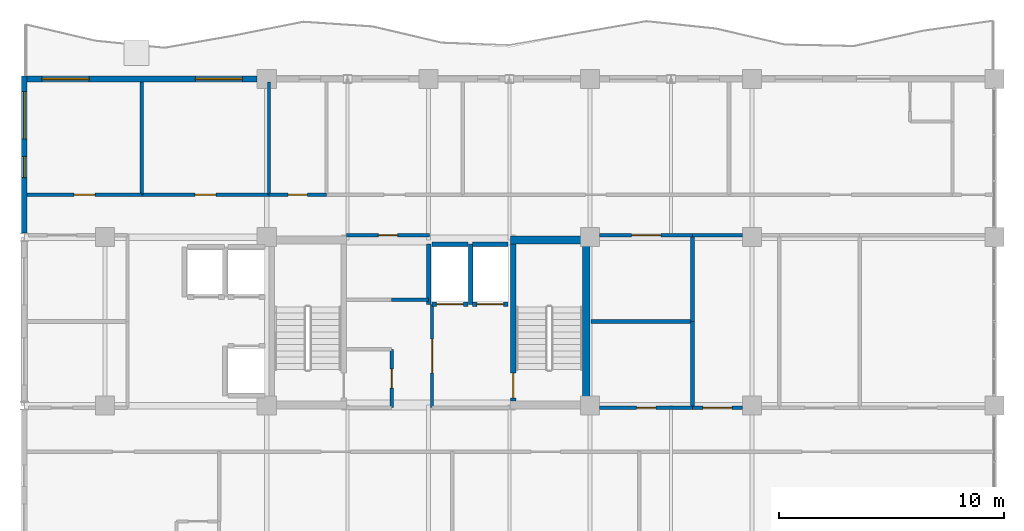
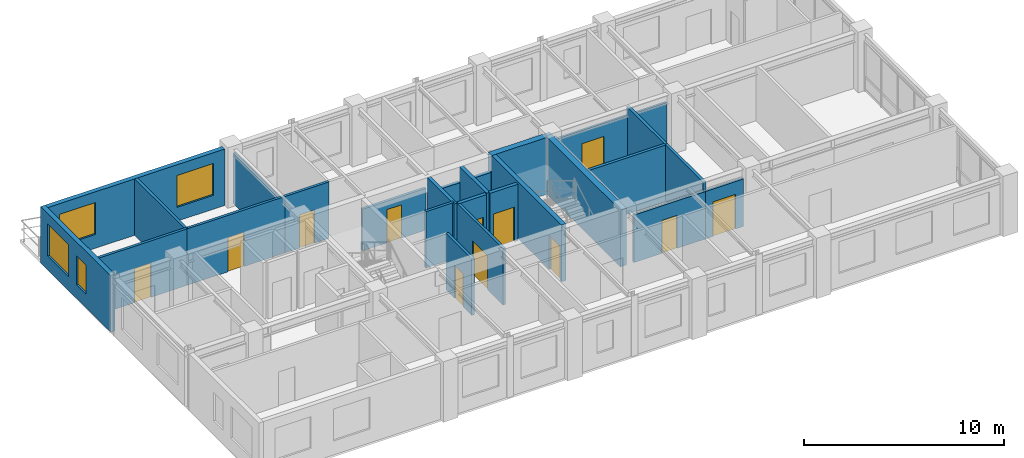
# One storey, part 7 of 11: 27 walls, 12 doors, 4 windows, 16 openings.
"""IFC4 building model written with IfcOpenShell, lengths in metres."""

from ifc_helpers import new_model, si_unit, direction, frame, frame_2d, origin, place, context, subcontext, project, spatial, rectangle, extrude, material, layer, layer_set, type_object, element, fill, save


model = new_model("IFC4")

# Units and contexts
model_context = context("Model", 3, precision=1e-05, world=origin(), true_north=direction((0.0, 1.0)))
body_context = subcontext(model_context, "Body", "Model", "MODEL_VIEW")
ifc_project = project(units=[si_unit("LENGTHUNIT", "METRE"), si_unit("AREAUNIT", "SQUARE_METRE"), si_unit("VOLUMEUNIT", "CUBIC_METRE"), si_unit("PLANEANGLEUNIT", "RADIAN"), si_unit("MASSUNIT", "GRAM", prefix="KILO")], contexts=[model_context])

# Site, building, storey
site_placement = place(None, origin())
site = spatial("IfcSite", under=ifc_project, at=site_placement, CompositionType="ELEMENT")
building_placement = place(site_placement, origin())
building = spatial("IfcBuilding", under=site, at=building_placement, Name="Kaliganga Portal Commons", CompositionType="ELEMENT")
storey_placement = place(building_placement, frame((0.0, 0.0, 253.60009765625)))
storey = spatial("IfcBuildingStorey", under=building, at=storey_placement, Name="L65", CompositionType="ELEMENT", Elevation=253.60009765625)

# Walls
ifc_material_1 = material(Name="Concrete C50/60", Category="concrete")
ifc_layer_1 = layer(ifc_material_1, 0.35009765625)
ifc_layer_set_1 = layer_set([ifc_layer_1], Name="Concrete C50/60")
wall_type_1 = type_object("IfcWallType", Name="WL-CORE-350", PredefinedType="SHEAR", material=ifc_layer_set_1)
wall_1_placement = place(storey_placement, frame((28.625, 28.5, 0.0), z_axis=(0.0, 0.0, 1.0), x_axis=(0.0, 1.0, 0.0)))
element("IfcWall", 1, at=wall_1_placement, inside=storey, type_object=wall_type_1, Name="Core A East Shear Wall L65", PredefinedType="SHEAR", context=body_context, shape_type="SweptSolid", body=[
    extrude(rectangle(XDim=7.699951171875, YDim=0.35009765625, at=frame_2d((3.85009765625, 0.0))), origin(), (0.0, 0.0, 1.0), 3.474853515625),
])
wall_2_placement = place(storey_placement, frame((25.25, 36.02490234375, 0.0), z_axis=(0.0, 0.0, 1.0), x_axis=(1.0, 0.0, 0.0)))
element("IfcWall", 2, at=wall_2_placement, inside=storey, type_object=wall_type_1, Name="Core A N-East Shear Wall L65", PredefinedType="SHEAR", context=body_context, shape_type="SweptSolid", body=[
    extrude(rectangle(XDim=3.199951171875, YDim=0.35009765625, at=frame_2d((1.60009765625, 0.0))), origin(), (0.0, 0.0, 1.0), 3.474853515625),
])

# Wall, openings, windows
ifc_material_2 = material(Name="Insulated Aluminium-Clad Spandrel Assembly", Category="aluminium")
ifc_layer_2 = layer(ifc_material_2, 0.260009765625)
ifc_layer_set_2 = layer_set([ifc_layer_2], Name="Insulated Aluminium-Clad Spandrel Assembly")
wall_type_2 = type_object("IfcWallType", Name="WL-EXT-SPAND-260", PredefinedType="STANDARD", material=ifc_layer_set_2)
wall_3_placement = place(storey_placement, frame((3.735107421875, 43.199951171875, 0.0), z_axis=(0.0, 0.0, 1.0), x_axis=(1.0, 0.0, 0.0)))
wall_3 = element("IfcWall", 3, at=wall_3_placement, inside=storey, type_object=wall_type_2, Name="Exterior Envelope Wall L65 P1-E02-S8", PredefinedType="STANDARD", context=body_context, shape_type="SweptSolid", body=[
    extrude(rectangle(XDim=10.239013671875, YDim=0.260009765625, at=frame_2d((5.11962890625, 0.0))), origin(), (0.0, 0.0, 1.0), 3.454833984375),
])
opening_1_placement = place(wall_3_placement, frame((0.656494140625, 0.0, 0.85009765625)))
opening_1 = element("IfcOpeningElement", 4, at=opening_1_placement, cuts=wall_3, Name="Opening W-06", PredefinedType="OPENING", context=body_context, shape_type="SweptSolid", body=[
    extrude(rectangle(XDim=2.10009765625, YDim=1.949951171875, at=frame_2d((1.050048828125, 0.97509765625))), frame((0.0, 0.14013671875, 0.0), z_axis=(0.0, -1.0, 0.0), x_axis=(1.0, 0.0, 0.0)), (0.0, 0.0, 1.0), 0.280029296875),
])
opening_2_placement = place(wall_3_placement, frame((7.482421875, 0.0, 0.85009765625)))
opening_2 = element("IfcOpeningElement", 5, at=opening_2_placement, cuts=wall_3, Name="Opening W-06", PredefinedType="OPENING", context=body_context, shape_type="SweptSolid", body=[
    extrude(rectangle(XDim=2.10009765625, YDim=1.949951171875, at=frame_2d((1.050048828125, 0.97509765625))), frame((0.0, 0.14013671875, 0.0), z_axis=(0.0, -1.0, 0.0), x_axis=(1.0, 0.0, 0.0)), (0.0, 0.0, 1.0), 0.280029296875),
])
ifc_material_3 = material(Name="Thermally Broken Aluminium and Low-E Double Glazing", Category="aluminium")
window_type_1 = type_object("IfcWindowType", Name="WIN-PAN-2100", PartitioningType="DOUBLE_PANEL_VERTICAL", PredefinedType="WINDOW", material=ifc_material_3)
window_1_placement = place(opening_1_placement, origin())
window_1 = element("IfcWindow", 6, at=window_1_placement, inside=storey, type_object=window_type_1, Name="Facade Window L65-P1E02S8-00", OverallHeight=1.949951171875, OverallWidth=2.10009765625, PartitioningType="SINGLE_PANEL", PredefinedType="WINDOW", context=body_context, shape_type="SweptSolid", body=[
    extrude(rectangle(XDim=2.10009765625, YDim=1.949951171875, at=frame_2d((1.050048828125, 0.97509765625))), frame((0.0, 0.030029296875, 0.0), z_axis=(0.0, -1.0, 0.0), x_axis=(1.0, 0.0, 0.0)), (0.0, 0.0, 1.0), 0.06005859375),
])
fill(opening_1, window_1)
window_2_placement = place(opening_2_placement, origin())
window_2 = element("IfcWindow", 7, at=window_2_placement, inside=storey, type_object=window_type_1, Name="Facade Window L65-P1E02S8-02", OverallHeight=1.949951171875, OverallWidth=2.10009765625, PartitioningType="SINGLE_PANEL", PredefinedType="WINDOW", context=body_context, shape_type="SweptSolid", body=[
    extrude(rectangle(XDim=2.10009765625, YDim=1.949951171875, at=frame_2d((1.050048828125, 0.97509765625))), frame((0.0, 0.030029296875, 0.0), z_axis=(0.0, -1.0, 0.0), x_axis=(1.0, 0.0, 0.0)), (0.0, 0.0, 1.0), 0.06005859375),
])
fill(opening_2, window_2)

wall_4_placement = place(storey_placement, frame((3.60009765625, 36.3369140625, 0.0), z_axis=(0.0, 0.0, 1.0), x_axis=(0.0, 1.0, 0.0)))
wall_4 = element("IfcWall", 8, at=wall_4_placement, inside=storey, type_object=wall_type_2, Name="Exterior Envelope Wall L65 P1-E03-S1", PredefinedType="STANDARD", context=body_context, shape_type="SweptSolid", body=[
    extrude(rectangle(XDim=6.9931640625, YDim=0.260009765625, at=frame_2d((3.49658203125, 0.0))), origin(), (0.0, 0.0, 1.0), 3.454833984375),
])
opening_3_placement = place(wall_4_placement, frame((4.194580078125, 0.0, 0.85009765625)))
opening_3 = element("IfcOpeningElement", 9, at=opening_3_placement, cuts=wall_4, Name="Opening W-06", PredefinedType="OPENING", context=body_context, shape_type="SweptSolid", body=[
    extrude(rectangle(XDim=2.10009765625, YDim=1.949951171875, at=frame_2d((1.050048828125, 0.97509765625))), frame((0.0, 0.14013671875, 0.0), z_axis=(0.0, -1.0, 0.0), x_axis=(1.0, 0.0, 0.0)), (0.0, 0.0, 1.0), 0.280029296875),
])
opening_4_placement = place(wall_4_placement, frame((2.462158203125, 0.0, 0.85009765625)))
opening_4 = element("IfcOpeningElement", 10, at=opening_4_placement, cuts=wall_4, Name="Opening W-04", PredefinedType="OPENING", context=body_context, shape_type="SweptSolid", body=[
    extrude(rectangle(XDim=0.949951171875, YDim=1.75, at=frame_2d((0.47509765625, 0.875))), frame((0.0, 0.14013671875, 0.0), z_axis=(0.0, -1.0, 0.0), x_axis=(1.0, 0.0, 0.0)), (0.0, 0.0, 1.0), 0.280029296875),
])
window_type_2 = type_object("IfcWindowType", Name="WIN-NARROW-950", PartitioningType="SINGLE_PANEL", PredefinedType="WINDOW", material=ifc_material_3)
window_3_placement = place(opening_4_placement, origin())
window_3 = element("IfcWindow", 11, at=window_3_placement, inside=storey, type_object=window_type_2, Name="Facade Window L65-P1E03S1-N5", OverallHeight=1.75, OverallWidth=0.949951171875, PartitioningType="SINGLE_PANEL", PredefinedType="WINDOW", context=body_context, shape_type="SweptSolid", body=[
    extrude(rectangle(XDim=0.949951171875, YDim=1.75, at=frame_2d((0.47509765625, 0.875))), frame((0.0, 0.030029296875, 0.0), z_axis=(0.0, -1.0, 0.0), x_axis=(1.0, 0.0, 0.0)), (0.0, 0.0, 1.0), 0.06005859375),
])
fill(opening_4, window_3)
window_4_placement = place(opening_3_placement, origin())
window_4 = element("IfcWindow", 12, at=window_4_placement, inside=storey, type_object=window_type_1, Name="Facade Window L65-P1E03S1-01", OverallHeight=1.949951171875, OverallWidth=2.10009765625, PartitioningType="SINGLE_PANEL", PredefinedType="WINDOW", context=body_context, shape_type="SweptSolid", body=[
    extrude(rectangle(XDim=2.10009765625, YDim=1.949951171875, at=frame_2d((1.050048828125, 0.97509765625))), frame((0.0, 0.030029296875, 0.0), z_axis=(0.0, -1.0, 0.0), x_axis=(1.0, 0.0, 0.0)), (0.0, 0.0, 1.0), 0.06005859375),
])
fill(opening_3, window_4)

# Wall, opening, door
ifc_material_4 = material(Name="Fire-Rated Gypsum Board on Steel Stud", Category="steel")
ifc_layer_3 = layer(ifc_material_4, 0.14990234375)
ifc_layer_set_3 = layer_set([ifc_layer_3], Name="Fire-Rated Gypsum Board on Steel Stud")
wall_type_3 = type_object("IfcWallType", Name="WL-PART-CORR-150", PredefinedType="PARTITIONING", material=ifc_layer_set_3)
wall_5_placement = place(storey_placement, frame((8.840087890625, 38.0400390625, 0.0), z_axis=(0.0, 0.0, 1.0), x_axis=(1.0, 0.0, 0.0)))
wall_5 = element("IfcWall", 13, at=wall_5_placement, inside=storey, type_object=wall_type_3, Name="Interior Partition L65-016", PredefinedType="PARTITIONING", context=body_context, shape_type="SweptSolid", body=[
    extrude(rectangle(XDim=5.659912109375, YDim=0.14990234375, at=frame_2d((2.830078125, 0.0))), origin(), (0.0, 0.0, 1.0), 3.454833984375),
])
opening_5_placement = place(wall_5_placement, frame((2.35498046875, 0.0, 0.0)))
opening_5 = element("IfcOpeningElement", 14, at=opening_5_placement, cuts=wall_5, Name="Opening UD-01", PredefinedType="OPENING", context=body_context, shape_type="SweptSolid", body=[
    extrude(rectangle(XDim=0.949951171875, YDim=2.10009765625, at=frame_2d((0.47509765625, 1.050048828125))), frame((0.0, 0.0849609375, 0.0), z_axis=(0.0, -1.0, 0.0), x_axis=(1.0, 0.0, 0.0)), (0.0, 0.0, 1.0), 0.169921875),
])
ifc_material_5 = material(Name="Solid-Core Timber Acoustic Fire Door", Category="wood")
door_type_1 = type_object("IfcDoorType", Name="DR-UNIT-950", OperationType="NOTDEFINED", PredefinedType="DOOR", material=ifc_material_5)
door_1_placement = place(opening_5_placement, origin())
door_1 = element("IfcDoor", 15, at=door_1_placement, inside=storey, type_object=door_type_1, Name="Interior Door L65-AN02", OperationType="SINGLE_SWING_RIGHT", OverallHeight=2.10009765625, OverallWidth=0.949951171875, PredefinedType="DOOR", context=body_context, shape_type="SweptSolid", body=[
    extrude(rectangle(XDim=0.949951171875, YDim=2.10009765625, at=frame_2d((0.47509765625, 1.050048828125))), frame((0.0, 0.02490234375, 0.0), z_axis=(0.0, -1.0, 0.0), x_axis=(1.0, 0.0, 0.0)), (0.0, 0.0, 1.0), 0.050048828125),
])
fill(opening_5, door_1)

wall_6_placement = place(storey_placement, frame((3.73193359375, 38.0400390625, 0.0), z_axis=(0.0, 0.0, 1.0), x_axis=(1.0, 0.0, 0.0)))
wall_6 = element("IfcWall", 16, at=wall_6_placement, inside=storey, type_object=wall_type_3, Name="Interior Partition L65-017", PredefinedType="PARTITIONING", context=body_context, shape_type="SweptSolid", body=[
    extrude(rectangle(XDim=5.108154296875, YDim=0.14990234375, at=frame_2d((2.55419921875, 0.0))), origin(), (0.0, 0.0, 1.0), 3.454833984375),
])
opening_6_placement = place(wall_6_placement, frame((2.0791015625, 0.0, 0.0)))
opening_6 = element("IfcOpeningElement", 17, at=opening_6_placement, cuts=wall_6, Name="Opening UD-01", PredefinedType="OPENING", context=body_context, shape_type="SweptSolid", body=[
    extrude(rectangle(XDim=0.949951171875, YDim=2.10009765625, at=frame_2d((0.47509765625, 1.050048828125))), frame((0.0, 0.0849609375, 0.0), z_axis=(0.0, -1.0, 0.0), x_axis=(1.0, 0.0, 0.0)), (0.0, 0.0, 1.0), 0.169921875),
])
door_2_placement = place(opening_6_placement, origin())
door_2 = element("IfcDoor", 18, at=door_2_placement, inside=storey, type_object=door_type_1, Name="Interior Door L65-AN01", OperationType="SINGLE_SWING_LEFT", OverallHeight=2.10009765625, OverallWidth=0.949951171875, PredefinedType="DOOR", context=body_context, shape_type="SweptSolid", body=[
    extrude(rectangle(XDim=0.949951171875, YDim=2.10009765625, at=frame_2d((0.47509765625, 1.050048828125))), frame((0.0, 0.02490234375, 0.0), z_axis=(0.0, -1.0, 0.0), x_axis=(1.0, 0.0, 0.0)), (0.0, 0.0, 1.0), 0.050048828125),
])
fill(opening_6, door_2)

wall_7_placement = place(storey_placement, frame((29.22509765625, 28.56005859375, 0.0), z_axis=(0.0, 0.0, 1.0), x_axis=(1.0, 0.0, 0.0)))
wall_7 = element("IfcWall", 19, at=wall_7_placement, inside=storey, type_object=wall_type_3, Name="Interior Partition L65-022", PredefinedType="PARTITIONING", context=body_context, shape_type="SweptSolid", body=[
    extrude(rectangle(XDim=4.135009765625, YDim=0.14990234375, at=frame_2d((2.0673828125, 0.0))), origin(), (0.0, 0.0, 1.0), 2.90478515625),
])
opening_7_placement = place(wall_7_placement, frame((1.637451171875, 0.0, 0.0)))
opening_7 = element("IfcOpeningElement", 20, at=opening_7_placement, cuts=wall_7, Name="Opening WD-02", PredefinedType="OPENING", context=body_context, shape_type="SweptSolid", body=[
    extrude(rectangle(XDim=0.860107421875, YDim=2.02001953125, at=frame_2d((0.43017578125, 1.010009765625))), frame((0.0, 0.0849609375, 0.0), z_axis=(0.0, -1.0, 0.0), x_axis=(1.0, 0.0, 0.0)), (0.0, 0.0, 1.0), 0.169921875),
])
ifc_material_6 = material(Name="Fire-Rated Utility Closet Door", Category="wood")
door_type_2 = type_object("IfcDoorType", Name="DR-STORE-800", OperationType="NOTDEFINED", PredefinedType="DOOR", material=ifc_material_6)
door_3_placement = place(opening_7_placement, origin())
door_3 = element("IfcDoor", 21, at=door_3_placement, inside=storey, type_object=door_type_2, Name="Interior Door L65-CSRV_A1", OperationType="SINGLE_SWING_RIGHT", OverallHeight=2.02001953125, OverallWidth=0.860107421875, PredefinedType="DOOR", context=body_context, shape_type="SweptSolid", body=[
    extrude(rectangle(XDim=0.860107421875, YDim=2.02001953125, at=frame_2d((0.43017578125, 1.010009765625))), frame((0.0, 0.02490234375, 0.0), z_axis=(0.0, -1.0, 0.0), x_axis=(1.0, 0.0, 0.0)), (0.0, 0.0, 1.0), 0.050048828125),
])
fill(opening_7, door_3)

wall_8_placement = place(storey_placement, frame((29.22509765625, 36.239990234375, 0.0), z_axis=(0.0, 0.0, 1.0), x_axis=(1.0, 0.0, 0.0)))
wall_8 = element("IfcWall", 22, at=wall_8_placement, inside=storey, type_object=wall_type_3, Name="Interior Partition L65-023", PredefinedType="PARTITIONING", context=body_context, shape_type="SweptSolid", body=[
    extrude(rectangle(XDim=4.135009765625, YDim=0.14990234375, at=frame_2d((2.0673828125, 0.0))), origin(), (0.0, 0.0, 1.0), 2.90478515625),
])
opening_8_placement = place(wall_8_placement, frame((1.41748046875, 0.0, 0.0)))
opening_8 = element("IfcOpeningElement", 23, at=opening_8_placement, cuts=wall_8, Name="Opening RD-03", PredefinedType="OPENING", context=body_context, shape_type="SweptSolid", body=[
    extrude(rectangle(XDim=1.300048828125, YDim=2.1201171875, at=frame_2d((0.64990234375, 1.06005859375))), frame((0.0, 0.0849609375, 0.0), z_axis=(0.0, -1.0, 0.0), x_axis=(1.0, 0.0, 0.0)), (0.0, 0.0, 1.0), 0.169921875),
])
ifc_material_7 = material(Name="Glazed Timber Seminar Vision Door", Category="wood")
door_type_3 = type_object("IfcDoorType", Name="DR-STUDY-1300", OperationType="DOUBLE_DOOR_SINGLE_SWING", PredefinedType="DOOR", material=ifc_material_7)
door_4_placement = place(opening_8_placement, origin())
door_4 = element("IfcDoor", 24, at=door_4_placement, inside=storey, type_object=door_type_3, Name="Interior Door L65-CSRV_A2", OperationType="DOUBLE_DOOR_SINGLE_SWING", OverallHeight=2.1201171875, OverallWidth=1.300048828125, PredefinedType="DOOR", context=body_context, shape_type="SweptSolid", body=[
    extrude(rectangle(XDim=1.300048828125, YDim=2.1201171875, at=frame_2d((0.64990234375, 1.06005859375))), frame((0.0, 0.02490234375, 0.0), z_axis=(0.0, -1.0, 0.0), x_axis=(1.0, 0.0, 0.0)), (0.0, 0.0, 1.0), 0.050048828125),
])
fill(opening_8, door_4)

wall_9_placement = place(storey_placement, frame((33.360107421875, 28.56005859375, 0.0), z_axis=(0.0, 0.0, 1.0), x_axis=(1.0, 0.0, 0.0)))
wall_9 = element("IfcWall", 25, at=wall_9_placement, inside=storey, type_object=wall_type_3, Name="Interior Partition L65-024", PredefinedType="PARTITIONING", context=body_context, shape_type="SweptSolid", body=[
    extrude(rectangle(XDim=2.21484375, YDim=0.14990234375, at=frame_2d((1.107421875, 0.0))), origin(), (0.0, 0.0, 1.0), 2.90478515625),
])
opening_9_placement = place(wall_9_placement, frame((0.45751953125, 0.0, 0.0)))
opening_9 = element("IfcOpeningElement", 26, at=opening_9_placement, cuts=wall_9, Name="Opening RD-03", PredefinedType="OPENING", context=body_context, shape_type="SweptSolid", body=[
    extrude(rectangle(XDim=1.300048828125, YDim=2.1201171875, at=frame_2d((0.64990234375, 1.06005859375))), frame((0.0, 0.0849609375, 0.0), z_axis=(0.0, -1.0, 0.0), x_axis=(1.0, 0.0, 0.0)), (0.0, 0.0, 1.0), 0.169921875),
])
door_5_placement = place(opening_9_placement, origin())
door_5 = element("IfcDoor", 27, at=door_5_placement, inside=storey, type_object=door_type_3, Name="Interior Door L65-AE01", OperationType="DOUBLE_DOOR_SINGLE_SWING", OverallHeight=2.1201171875, OverallWidth=1.300048828125, PredefinedType="DOOR", context=body_context, shape_type="SweptSolid", body=[
    extrude(rectangle(XDim=1.300048828125, YDim=2.1201171875, at=frame_2d((0.64990234375, 1.06005859375))), frame((0.0, 0.02490234375, 0.0), z_axis=(0.0, -1.0, 0.0), x_axis=(1.0, 0.0, 0.0)), (0.0, 0.0, 1.0), 0.050048828125),
])
fill(opening_9, door_5)

# Wall
wall_10_placement = place(storey_placement, frame((33.360107421875, 36.239990234375, 0.0), z_axis=(0.0, 0.0, 1.0), x_axis=(1.0, 0.0, 0.0)))
element("IfcWall", 28, at=wall_10_placement, inside=storey, type_object=wall_type_3, Name="Interior Partition L65-026", PredefinedType="PARTITIONING", context=body_context, shape_type="SweptSolid", body=[
    extrude(rectangle(XDim=2.21484375, YDim=0.14990234375, at=frame_2d((1.107421875, 0.0))), origin(), (0.0, 0.0, 1.0), 2.90478515625),
])

# Wall, opening, door
wall_11_placement = place(storey_placement, frame((17.9599609375, 36.239990234375, 0.0), z_axis=(0.0, 0.0, 1.0), x_axis=(1.0, 0.0, 0.0)))
wall_11 = element("IfcWall", 29, at=wall_11_placement, inside=storey, type_object=wall_type_3, Name="Interior Partition L65-030", PredefinedType="PARTITIONING", context=body_context, shape_type="SweptSolid", body=[
    extrude(rectangle(XDim=3.679931640625, YDim=0.14990234375, at=frame_2d((1.83984375, 0.0))), origin(), (0.0, 0.0, 1.0), 2.554931640625),
])
opening_10_placement = place(wall_11_placement, frame((1.4150390625, 0.0, 0.0)))
opening_10 = element("IfcOpeningElement", 30, at=opening_10_placement, cuts=wall_11, Name="Opening WD-01", PredefinedType="OPENING", context=body_context, shape_type="SweptSolid", body=[
    extrude(rectangle(XDim=0.85009765625, YDim=2.0400390625, at=frame_2d((0.425048828125, 1.02001953125))), frame((0.0, 0.0849609375, 0.0), z_axis=(0.0, -1.0, 0.0), x_axis=(1.0, 0.0, 0.0)), (0.0, 0.0, 1.0), 0.169921875),
])
ifc_material_8 = material(Name="Moisture-Resistant Laminate Timber Door", Category="wood")
door_type_4 = type_object("IfcDoorType", Name="DR-WET-850", OperationType="NOTDEFINED", PredefinedType="DOOR", material=ifc_material_8)
door_6_placement = place(opening_10_placement, origin())
door_6 = element("IfcDoor", 31, at=door_6_placement, inside=storey, type_object=door_type_4, Name="Interior Door L65-CREC_A1", OperationType="SINGLE_SWING_LEFT", OverallHeight=2.0400390625, OverallWidth=0.85009765625, PredefinedType="DOOR", context=body_context, shape_type="SweptSolid", body=[
    extrude(rectangle(XDim=0.85009765625, YDim=2.0400390625, at=frame_2d((0.425048828125, 1.02001953125))), frame((0.0, 0.02490234375, 0.0), z_axis=(0.0, -1.0, 0.0), x_axis=(1.0, 0.0, 0.0)), (0.0, 0.0, 1.0), 0.050048828125),
])
fill(opening_10, door_6)

wall_12_placement = place(storey_placement, frame((19.9599609375, 28.56005859375, 0.0), z_axis=(0.0, 0.0, 1.0), x_axis=(0.0, 1.0, 0.0)))
wall_12 = element("IfcWall", 32, at=wall_12_placement, inside=storey, type_object=wall_type_3, Name="Interior Partition L65-033", PredefinedType="PARTITIONING", context=body_context, shape_type="SweptSolid", body=[
    extrude(rectangle(XDim=2.599853515625, YDim=0.14990234375, at=frame_2d((1.2998046875, 0.0))), origin(), (0.0, 0.0, 1.0), 3.454833984375),
])
opening_11_placement = place(wall_12_placement, frame((0.8701171875, 0.0, 0.0)))
opening_11 = element("IfcOpeningElement", 33, at=opening_11_placement, cuts=wall_12, Name="Opening WD-02", PredefinedType="OPENING", context=body_context, shape_type="SweptSolid", body=[
    extrude(rectangle(XDim=0.860107421875, YDim=2.02001953125, at=frame_2d((0.43017578125, 1.010009765625))), frame((0.0, 0.0849609375, 0.0), z_axis=(0.0, -1.0, 0.0), x_axis=(1.0, 0.0, 0.0)), (0.0, 0.0, 1.0), 0.169921875),
])
door_7_placement = place(opening_11_placement, origin())
door_7 = element("IfcDoor", 34, at=door_7_placement, inside=storey, type_object=door_type_2, Name="Interior Door L65-CIN_A1", OperationType="SINGLE_SWING_LEFT", OverallHeight=2.02001953125, OverallWidth=0.860107421875, PredefinedType="DOOR", context=body_context, shape_type="SweptSolid", body=[
    extrude(rectangle(XDim=0.860107421875, YDim=2.02001953125, at=frame_2d((0.43017578125, 1.010009765625))), frame((0.0, 0.02490234375, 0.0), z_axis=(0.0, -1.0, 0.0), x_axis=(1.0, 0.0, 0.0)), (0.0, 0.0, 1.0), 0.050048828125),
])
fill(opening_11, door_7)

wall_13_placement = place(storey_placement, frame((14.5, 38.0400390625, 0.0), z_axis=(0.0, 0.0, 1.0), x_axis=(1.0, 0.0, 0.0)))
wall_13 = element("IfcWall", 35, at=wall_13_placement, inside=storey, type_object=wall_type_3, Name="Interior Partition L65-034", PredefinedType="PARTITIONING", context=body_context, shape_type="SweptSolid", body=[
    extrude(rectangle(XDim=2.56005859375, YDim=0.14990234375, at=frame_2d((1.280029296875, 0.0))), origin(), (0.0, 0.0, 1.0), 3.454833984375),
])
opening_12_placement = place(wall_13_placement, frame((0.85498046875, 0.0, 0.0)))
opening_12 = element("IfcOpeningElement", 36, at=opening_12_placement, cuts=wall_13, Name="Opening WD-01", PredefinedType="OPENING", context=body_context, shape_type="SweptSolid", body=[
    extrude(rectangle(XDim=0.85009765625, YDim=2.0400390625, at=frame_2d((0.425048828125, 1.02001953125))), frame((0.0, 0.0849609375, 0.0), z_axis=(0.0, -1.0, 0.0), x_axis=(1.0, 0.0, 0.0)), (0.0, 0.0, 1.0), 0.169921875),
])
door_8_placement = place(opening_12_placement, origin())
door_8 = element("IfcDoor", 37, at=door_8_placement, inside=storey, type_object=door_type_4, Name="Interior Door L65-AN03", OperationType="SINGLE_SWING_RIGHT", OverallHeight=2.0400390625, OverallWidth=0.85009765625, PredefinedType="DOOR", context=body_context, shape_type="SweptSolid", body=[
    extrude(rectangle(XDim=0.85009765625, YDim=2.0400390625, at=frame_2d((0.425048828125, 1.02001953125))), frame((0.0, 0.02490234375, 0.0), z_axis=(0.0, -1.0, 0.0), x_axis=(1.0, 0.0, 0.0)), (0.0, 0.0, 1.0), 0.050048828125),
])
fill(opening_12, door_8)

# Wall
wall_14_placement = place(storey_placement, frame((19.9599609375, 33.360107421875, 0.0), z_axis=(0.0, 0.0, 1.0), x_axis=(1.0, 0.0, 0.0)))
element("IfcWall", 38, at=wall_14_placement, inside=storey, type_object=wall_type_3, Name="Interior Partition L65-039", PredefinedType="PARTITIONING", context=body_context, shape_type="SweptSolid", body=[
    extrude(rectangle(XDim=1.650146484375, YDim=0.14990234375, at=frame_2d((0.8251953125, 0.0))), origin(), (0.0, 0.0, 1.0), 3.454833984375),
])

# Wall, opening, door
wall_15_placement = place(storey_placement, frame((21.760009765625, 28.56005859375, 0.0), z_axis=(0.0, 0.0, 1.0), x_axis=(0.0, 1.0, 0.0)))
wall_15 = element("IfcWall", 39, at=wall_15_placement, inside=storey, type_object=wall_type_3, Name="Interior Partition L65-050", PredefinedType="PARTITIONING", context=body_context, shape_type="SweptSolid", body=[
    extrude(rectangle(XDim=4.599853515625, YDim=0.14990234375, at=frame_2d((2.2998046875, 0.0))), origin(), (0.0, 0.0, 1.0), 3.454833984375),
])
opening_13_placement = place(wall_15_placement, frame((1.550048828125, 0.0, 0.0)))
opening_13 = element("IfcOpeningElement", 40, at=opening_13_placement, cuts=wall_15, Name="Opening FD-01", PredefinedType="OPENING", context=body_context, shape_type="SweptSolid", body=[
    extrude(rectangle(XDim=1.5, YDim=2.10009765625, at=frame_2d((0.75, 1.050048828125))), frame((0.0, 0.0849609375, 0.0), z_axis=(0.0, -1.0, 0.0), x_axis=(1.0, 0.0, 0.0)), (0.0, 0.0, 1.0), 0.169921875),
])
ifc_material_9 = material(Name="Fire-Rated Hardwood and Georgian-Wired Vision Panel", Category="wood")
door_type_5 = type_object("IfcDoorType", Name="DR-LOBBY-1500", OperationType="DOUBLE_DOOR_SINGLE_SWING", PredefinedType="DOOR", material=ifc_material_9)
door_9_placement = place(opening_13_placement, origin())
door_9 = element("IfcDoor", 41, at=door_9_placement, inside=storey, type_object=door_type_5, Name="Interior Door L65-FFLOB_A", OperationType="DOUBLE_DOOR_SINGLE_SWING", OverallHeight=2.10009765625, OverallWidth=1.5, PredefinedType="DOOR", context=body_context, shape_type="SweptSolid", body=[
    extrude(rectangle(XDim=1.5, YDim=2.10009765625, at=frame_2d((0.75, 1.050048828125))), frame((0.0, 0.02490234375, 0.0), z_axis=(0.0, -1.0, 0.0), x_axis=(1.0, 0.0, 0.0)), (0.0, 0.0, 1.0), 0.050048828125),
])
fill(opening_13, door_9)

# Walls
ifc_material_10 = material(Name="Twin-Stud Acoustic Gypsum Partition", Category="gypsum")
ifc_layer_4 = layer(ifc_material_10, 0.1650390625)
ifc_layer_set_4 = layer_set([ifc_layer_4], Name="Twin-Stud Acoustic Gypsum Partition")
wall_type_4 = type_object("IfcWallType", Name="WL-PART-UNIT-165", PredefinedType="PARTITIONING", material=ifc_layer_set_4)
wall_16_placement = place(storey_placement, frame((8.840087890625, 38.0400390625, 0.0), z_axis=(0.0, 0.0, 1.0), x_axis=(0.0, 1.0, 0.0)))
element("IfcWall", 42, at=wall_16_placement, inside=storey, type_object=wall_type_4, Name="Interior Partition L65-042", PredefinedType="PARTITIONING", context=body_context, shape_type="SweptSolid", body=[
    extrude(rectangle(XDim=5.028076171875, YDim=0.1650390625, at=frame_2d((2.51416015625, 0.0))), origin(), (0.0, 0.0, 1.0), 3.454833984375),
])
wall_17_placement = place(storey_placement, frame((28.840087890625, 32.39990234375, 0.0), z_axis=(0.0, 0.0, 1.0), x_axis=(1.0, 0.0, 0.0)))
element("IfcWall", 43, at=wall_17_placement, inside=storey, type_object=wall_type_4, Name="Interior Partition L65-051", PredefinedType="PARTITIONING", context=body_context, shape_type="SweptSolid", body=[
    extrude(rectangle(XDim=4.52001953125, YDim=0.1650390625, at=frame_2d((2.260009765625, 0.0))), origin(), (0.0, 0.0, 1.0), 3.454833984375),
])
wall_18_placement = place(storey_placement, frame((33.360107421875, 32.39990234375, 0.0), z_axis=(0.0, 0.0, 1.0), x_axis=(0.0, 1.0, 0.0)))
element("IfcWall", 44, at=wall_18_placement, inside=storey, type_object=wall_type_4, Name="Interior Partition L65-052", PredefinedType="PARTITIONING", context=body_context, shape_type="SweptSolid", body=[
    extrude(rectangle(XDim=3.840087890625, YDim=0.1650390625, at=frame_2d((1.919921875, 0.0))), origin(), (0.0, 0.0, 1.0), 3.454833984375),
])
wall_19_placement = place(storey_placement, frame((33.360107421875, 28.56005859375, 0.0), z_axis=(0.0, 0.0, 1.0), x_axis=(0.0, 1.0, 0.0)))
element("IfcWall", 45, at=wall_19_placement, inside=storey, type_object=wall_type_4, Name="Interior Partition L65-053", PredefinedType="PARTITIONING", context=body_context, shape_type="SweptSolid", body=[
    extrude(rectangle(XDim=3.83984375, YDim=0.1650390625, at=frame_2d((1.919921875, 0.0))), origin(), (0.0, 0.0, 1.0), 3.454833984375),
])
ifc_material_11 = material(Name="Cement-Board Wet-Room Partition", Category="gypsum")
ifc_layer_5 = layer(ifc_material_11, 0.135009765625)
ifc_layer_set_5 = layer_set([ifc_layer_5], Name="Cement-Board Wet-Room Partition")
wall_type_5 = type_object("IfcWallType", Name="WL-PART-WET-135", PredefinedType="PARTITIONING", material=ifc_layer_set_5)
wall_20_placement = place(storey_placement, frame((14.5, 38.0400390625, 0.0), z_axis=(0.0, 0.0, 1.0), x_axis=(0.0, 1.0, 0.0)))
element("IfcWall", 46, at=wall_20_placement, inside=storey, type_object=wall_type_5, Name="Interior Partition L65-043", PredefinedType="PARTITIONING", context=body_context, shape_type="SweptSolid", body=[
    extrude(rectangle(XDim=5.028076171875, YDim=0.135009765625, at=frame_2d((2.51416015625, 0.0))), origin(), (0.0, 0.0, 1.0), 3.054931640625),
])

# Wall, opening, door
ifc_material_12 = material(Name="Fire-Rated Shaftwall Masonry Assembly", Category="masonry")
ifc_layer_6 = layer(ifc_material_12, 0.199951171875)
ifc_layer_set_6 = layer_set([ifc_layer_6], Name="Fire-Rated Shaftwall Masonry Assembly")
wall_type_6 = type_object("IfcWallType", Name="WL-SHAFT-200", PredefinedType="PARTITIONING", material=ifc_layer_set_6)
wall_21_placement = place(storey_placement, frame((21.75, 33.159912109375, 0.0), z_axis=(0.0, 0.0, 1.0), x_axis=(1.0, 0.0, 0.0)))
wall_21 = element("IfcWall", 47, at=wall_21_placement, inside=storey, type_object=wall_type_6, Name="Lift FFL-1 Hoistway Shaft Wall L65-S", PredefinedType="PARTITIONING", context=body_context, shape_type="SweptSolid", body=[
    extrude(rectangle(XDim=1.60009765625, YDim=0.199951171875, at=frame_2d((0.800048828125, 0.0))), origin(), (0.0, 0.0, 1.0), 3.454833984375),
])
opening_14_placement = place(wall_21_placement, frame((0.199951171875, 0.0, 0.0)))
opening_14 = element("IfcOpeningElement", 48, at=opening_14_placement, cuts=wall_21, Name="Opening LD-02", PredefinedType="OPENING", context=body_context, shape_type="SweptSolid", body=[
    extrude(rectangle(XDim=1.199951171875, YDim=2.1201171875, at=frame_2d((0.60009765625, 1.06005859375))), frame((0.0, 0.10986328125, 0.0), z_axis=(0.0, -1.0, 0.0), x_axis=(1.0, 0.0, 0.0)), (0.0, 0.0, 1.0), 0.219970703125),
])
ifc_material_13 = material(Name="Brushed Stainless Steel 316 Stretcher Lift Landing Door", Category="steel")
door_type_6 = type_object("IfcDoorType", Name="DR-LIFT-1200", OperationType="SLIDING_TO_RIGHT", PredefinedType="DOOR", material=ifc_material_13)
door_10_placement = place(opening_14_placement, origin())
door_10 = element("IfcDoor", 49, at=door_10_placement, inside=storey, type_object=door_type_6, Name="Lift FFL-1 Sliding Landing Door L65", OperationType="SLIDING_TO_RIGHT", OverallHeight=2.1201171875, OverallWidth=1.199951171875, PredefinedType="DOOR", context=body_context, shape_type="SweptSolid", body=[
    extrude(rectangle(XDim=1.199951171875, YDim=2.1201171875, at=frame_2d((0.60009765625, 1.06005859375))), frame((0.0, 0.02490234375, 0.0), z_axis=(0.0, -1.0, 0.0), x_axis=(1.0, 0.0, 0.0)), (0.0, 0.0, 1.0), 0.050048828125),
])
fill(opening_14, door_10)

# Walls
wall_22_placement = place(storey_placement, frame((21.75, 35.840087890625, 0.0), z_axis=(0.0, 0.0, 1.0), x_axis=(1.0, 0.0, 0.0)))
element("IfcWall", 50, at=wall_22_placement, inside=storey, type_object=wall_type_6, Name="Lift FFL-1 Hoistway Shaft Wall L65-N", PredefinedType="PARTITIONING", context=body_context, shape_type="SweptSolid", body=[
    extrude(rectangle(XDim=1.60009765625, YDim=0.199951171875, at=frame_2d((0.800048828125, 0.0))), origin(), (0.0, 0.0, 1.0), 2.554931640625),
])
for number, where, z_axis, x_axis, name in (
    (51, (21.610107421875, 33.159912109375, 0.0), (0.0, 0.0, 1.0), (0.0, 1.0, 0.0), "Lift FFL-1 Hoistway Shaft Wall L65-W"),
    (52, (23.489990234375, 33.159912109375, 0.0), (0.0, 0.0, 1.0), (0.0, 1.0, 0.0), "Lift FFL-1 Hoistway Shaft Wall L65-E"),
):
    element("IfcWall", number, at=place(storey_placement, frame(where, z_axis=z_axis, x_axis=x_axis)), inside=storey, type_object=wall_type_6, Name=name, PredefinedType="PARTITIONING", context=body_context, shape_type="SweptSolid", body=[
        extrude(rectangle(XDim=2.68017578125, YDim=0.199951171875, at=frame_2d((1.340087890625, 0.0))), origin(), (0.0, 0.0, 1.0), 3.454833984375),
    ])

# Wall, opening, door
wall_23_placement = place(storey_placement, frame((23.550048828125, 33.159912109375, 0.0), z_axis=(0.0, 0.0, 1.0), x_axis=(1.0, 0.0, 0.0)))
wall_23 = element("IfcWall", 53, at=wall_23_placement, inside=storey, type_object=wall_type_6, Name="Lift FFL-2 Hoistway Shaft Wall L65-S", PredefinedType="PARTITIONING", context=body_context, shape_type="SweptSolid", body=[
    extrude(rectangle(XDim=1.599853515625, YDim=0.199951171875, at=frame_2d((0.7998046875, 0.0))), origin(), (0.0, 0.0, 1.0), 3.454833984375),
])
opening_15_placement = place(wall_23_placement, frame((0.199951171875, 0.0, 0.0)))
opening_15 = element("IfcOpeningElement", 54, at=opening_15_placement, cuts=wall_23, Name="Opening LD-02", PredefinedType="OPENING", context=body_context, shape_type="SweptSolid", body=[
    extrude(rectangle(XDim=1.199951171875, YDim=2.1201171875, at=frame_2d((0.60009765625, 1.06005859375))), frame((0.0, 0.10986328125, 0.0), z_axis=(0.0, -1.0, 0.0), x_axis=(1.0, 0.0, 0.0)), (0.0, 0.0, 1.0), 0.219970703125),
])
door_11_placement = place(opening_15_placement, origin())
door_11 = element("IfcDoor", 55, at=door_11_placement, inside=storey, type_object=door_type_6, Name="Lift FFL-2 Sliding Landing Door L65", OperationType="SLIDING_TO_RIGHT", OverallHeight=2.1201171875, OverallWidth=1.199951171875, PredefinedType="DOOR", context=body_context, shape_type="SweptSolid", body=[
    extrude(rectangle(XDim=1.199951171875, YDim=2.1201171875, at=frame_2d((0.60009765625, 1.06005859375))), frame((0.0, 0.02490234375, 0.0), z_axis=(0.0, -1.0, 0.0), x_axis=(1.0, 0.0, 0.0)), (0.0, 0.0, 1.0), 0.050048828125),
])
fill(opening_15, door_11)

# Wall
wall_24_placement = place(storey_placement, frame((23.550048828125, 35.840087890625, 0.0), z_axis=(0.0, 0.0, 1.0), x_axis=(1.0, 0.0, 0.0)))
element("IfcWall", 56, at=wall_24_placement, inside=storey, type_object=wall_type_6, Name="Lift FFL-2 Hoistway Shaft Wall L65-N", PredefinedType="PARTITIONING", context=body_context, shape_type="SweptSolid", body=[
    extrude(rectangle(XDim=1.599853515625, YDim=0.199951171875, at=frame_2d((0.7998046875, 0.0))), origin(), (0.0, 0.0, 1.0), 2.554931640625),
])

# Wall, opening, door
ifc_layer_7 = layer(ifc_material_1, 0.25)
ifc_layer_set_7 = layer_set([ifc_layer_7], Name="Concrete C50/60")
wall_type_7 = type_object("IfcWallType", Name="WL-STAIR-250", PredefinedType="SHEAR", material=ifc_layer_set_7)
wall_25_placement = place(storey_placement, frame((25.375, 28.85009765625, 0.0), z_axis=(0.0, 0.0, 1.0), x_axis=(0.0, 1.0, 0.0)))
wall_25 = element("IfcWall", 57, at=wall_25_placement, inside=storey, type_object=wall_type_7, Name="Stair A2 Enclosure Shear Wall L65", PredefinedType="SHEAR", context=body_context, shape_type="SweptSolid", body=[
    extrude(rectangle(XDim=7.0, YDim=0.25, at=frame_2d((3.5, 0.0))), origin(), (0.0, 0.0, 1.0), 3.474853515625),
])
opening_16_placement = place(wall_25_placement, frame((0.14990234375, 0.0, 0.0)))
opening_16 = element("IfcOpeningElement", 58, at=opening_16_placement, cuts=wall_25, Name="Opening SD-01", PredefinedType="OPENING", context=body_context, shape_type="SweptSolid", body=[
    extrude(rectangle(XDim=1.10009765625, YDim=2.080078125, at=frame_2d((0.550048828125, 1.0400390625))), frame((0.0, 0.135009765625, 0.0), z_axis=(0.0, -1.0, 0.0), x_axis=(1.0, 0.0, 0.0)), (0.0, 0.0, 1.0), 0.27001953125),
])
ifc_material_14 = material(Name="Galvanized Steel Fire Door Leaf and Frame", Category="steel")
door_type_7 = type_object("IfcDoorType", Name="DR-STAIR-1100", OperationType="NOTDEFINED", PredefinedType="DOOR", material=ifc_material_14)
door_12_placement = place(opening_16_placement, origin())
door_12 = element("IfcDoor", 59, at=door_12_placement, inside=storey, type_object=door_type_7, Name="Protected Stair ST-A2 Fire Door L65", OperationType="SINGLE_SWING_RIGHT", OverallHeight=2.080078125, OverallWidth=1.10009765625, PredefinedType="DOOR", context=body_context, shape_type="SweptSolid", body=[
    extrude(rectangle(XDim=1.10009765625, YDim=2.080078125, at=frame_2d((0.550048828125, 1.0400390625))), frame((0.0, 0.02490234375, 0.0), z_axis=(0.0, -1.0, 0.0), x_axis=(1.0, 0.0, 0.0)), (0.0, 0.0, 1.0), 0.050048828125),
])
fill(opening_16, door_12)

save(model, "model.ifc")
